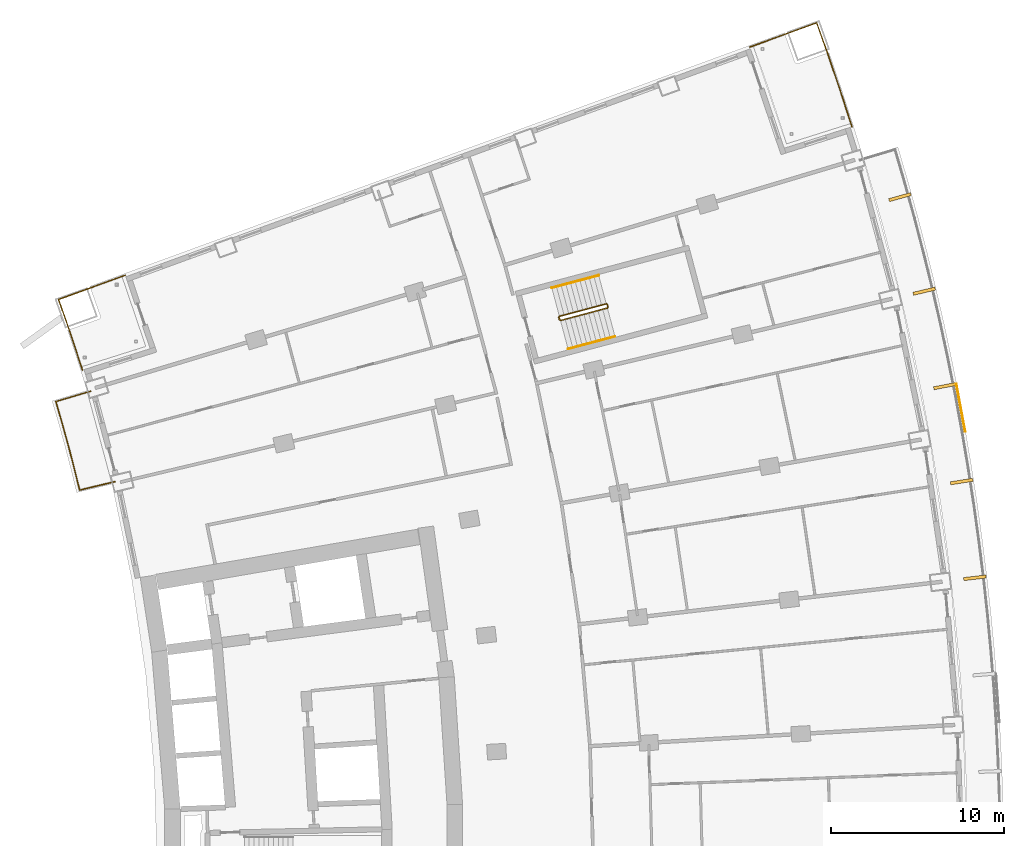
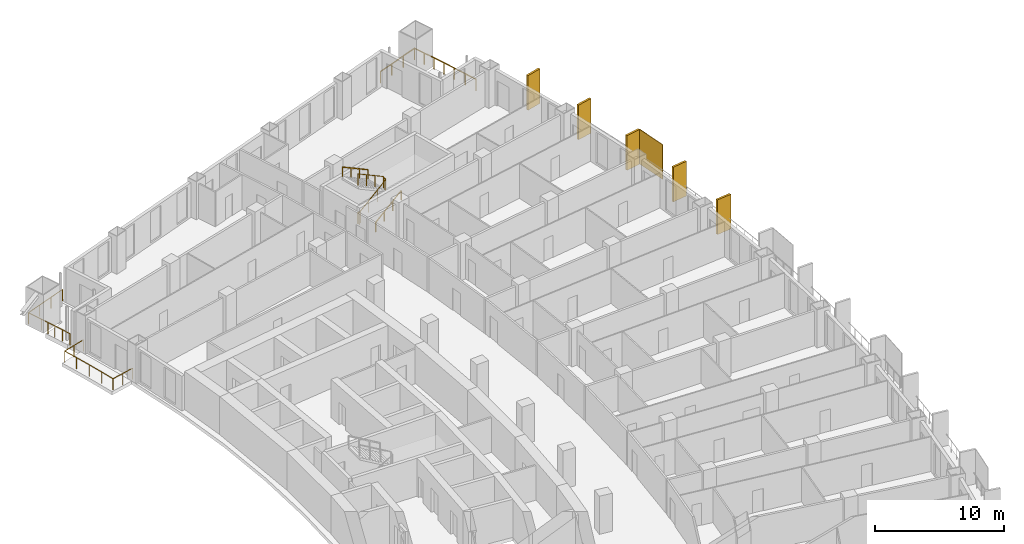
# One storey, part 25 of 25: 6 railings, 6 shading devices.
"""IFC4 building model written with IfcOpenShell, lengths in metres."""

import ifcopenshell
import ifcopenshell.guid

model = None  # the IFC model being written
_history = None  # IfcOwnerHistory: only IFC2X3 demands one
_inside = {}  # id of a spatial element -> (the spatial element, [elements in it])
_under = {}  # id of a project, library or spatial element -> (it, [spatial elements below it])
_declared = {}  # id of a project -> (the project, [libraries it declares])
_typed = {}  # id of a type object -> (the type object, [elements of that type])
_made_of = {}  # id of a material, layer set ... -> (it, [elements and type objects made of it])


def new_model(schema):
    """Start an empty IFC model of exactly this schema.

    Asked for "IFC4X3", IfcOpenShell would pick the latest addendum, in which some entities
    have other attributes; the version numbers below select the first issue.
    IFC2X3 requires an IfcOwnerHistory on every rooted entity: one is made here for all.
    """
    global model, _history
    if schema == "IFC4X3":
        model = ifcopenshell.file(schema_version=(4, 3, 0, 0))
    else:
        model = ifcopenshell.file(schema=schema)
    _inside.clear()
    _under.clear()
    _declared.clear()
    _typed.clear()
    _made_of.clear()
    _history = None
    if model.schema == "IFC2X3":
        org = make("IfcOrganization", Name="unknown")
        user = make(
            "IfcPersonAndOrganization",
            ThePerson=make("IfcPerson", FamilyName="unknown"),
            TheOrganization=org,
        )
        app = make(
            "IfcApplication",
            ApplicationDeveloper=org,
            Version="unknown",
            ApplicationFullName="unknown",
            ApplicationIdentifier="unknown",
        )
        _history = make(
            "IfcOwnerHistory",
            OwningUser=user,
            OwningApplication=app,
            ChangeAction="ADDED",
            CreationDate=0,
        )
    return model


def make(cls, **values):
    """One entity of the class cls with the attributes given. An attribute that is None is left unset."""
    return model.create_entity(
        cls, **{name: value for name, value in values.items() if value is not None}
    )


def rooted(cls, **values):
    """An entity with a GlobalId (a new one), such as an element, a storey or a relation."""
    return make(cls, GlobalId=ifcopenshell.guid.new(), OwnerHistory=_history, **values)


def si_unit(unit_type, name, prefix=None):
    """IfcSIUnit, for example si_unit("LENGTHUNIT", "METRE", prefix="MILLI")."""
    return make("IfcSIUnit", UnitType=unit_type, Prefix=prefix, Name=name)


def assignment(units):
    """IfcUnitAssignment: the units of a project."""
    return None if units is None else make("IfcUnitAssignment", Units=units)


def point(xyz):
    """IfcCartesianPoint."""
    return None if xyz is None else make("IfcCartesianPoint", Coordinates=xyz)


def direction(xyz):
    """IfcDirection."""
    return None if xyz is None else make("IfcDirection", DirectionRatios=xyz)


def frame(location, z_axis=None, x_axis=None):
    """IfcAxis2Placement3D, a coordinate frame: its origin and axes. An axis left out is left unset."""
    return make(
        "IfcAxis2Placement3D",
        Location=point(location),
        Axis=direction(z_axis),
        RefDirection=direction(x_axis),
    )


def frame_2d(location, x_axis=None):
    """IfcAxis2Placement2D, a coordinate frame in the plane: its origin and x axis."""
    return make(
        "IfcAxis2Placement2D", Location=point(location), RefDirection=direction(x_axis)
    )


def origin():
    """The frame at (0, 0, 0) with its axes left unset."""
    return frame((0.0, 0.0, 0.0))


def origin_2d():
    """The frame at (0, 0) in the plane with its x axis left unset."""
    return frame_2d((0.0, 0.0))


def place(relative_to, where):
    """IfcLocalPlacement: puts the frame where relative to a parent placement (None: the world)."""
    return make(
        "IfcLocalPlacement", PlacementRelTo=relative_to, RelativePlacement=where
    )


def context(
    kind, dimensions, precision=None, world=None, true_north=None, identifier=None
):
    """IfcGeometricRepresentationContext, for example the 3D "Model" context."""
    return make(
        "IfcGeometricRepresentationContext",
        ContextIdentifier=identifier,
        ContextType=kind,
        CoordinateSpaceDimension=dimensions,
        Precision=precision,
        WorldCoordinateSystem=world,
        TrueNorth=true_north,
    )


def subcontext(parent, identifier, kind, view, scale=None):
    """IfcGeometricRepresentationSubContext, for example "Body" below "Model"."""
    return make(
        "IfcGeometricRepresentationSubContext",
        ContextIdentifier=identifier,
        ContextType=kind,
        ParentContext=parent,
        TargetScale=scale,
        TargetView=view,
    )


def project(units=None, contexts=None):
    """IfcProject with its units and contexts."""
    return rooted(
        "IfcProject",
        Name="project",
        RepresentationContexts=contexts,
        UnitsInContext=assignment(units),
    )


def spatial(cls, under=None, at=None, **own):
    """A site, building, storey or space (cls), placed at a placement, below another one or the project."""
    s = rooted(cls, ObjectPlacement=at, **own)
    if under is not None:
        _under.setdefault(under.id(), (under, []))[1].append(s)
    return s


def profile(cls, at=None, kind="AREA", **sizes):
    """A parametric profile (cls). Its sizes go by their IFC names, for example OverallWidth=200.0."""
    return make(cls, ProfileType=kind, Position=at, **sizes)


def rectangle(**sizes):
    """IfcRectangleProfileDef."""
    return profile("IfcRectangleProfileDef", **sizes)


def extrude(swept, where, along, depth):
    """IfcExtrudedAreaSolid: the profile swept, set in the frame where, extruded along a direction by depth."""
    return make(
        "IfcExtrudedAreaSolid",
        SweptArea=swept,
        Position=where,
        ExtrudedDirection=direction(along),
        Depth=depth,
    )


def shape(context_of_items, identifier, shape_type, items):
    """IfcShapeRepresentation: the items that make up one representation, for example the "Body"."""
    return make(
        "IfcShapeRepresentation",
        ContextOfItems=context_of_items,
        RepresentationIdentifier=identifier,
        RepresentationType=shape_type,
        Items=items,
    )


def material(Name=None, Category=None):
    """IfcMaterial."""
    return make("IfcMaterial", Name=Name, Category=Category)


def layer(
    of_material, thickness, ventilated=None, Name=None, Category=None, Priority=None
):
    """IfcMaterialLayer: one layer of a wall or slab, of a material (None: an air gap)."""
    return make(
        "IfcMaterialLayer",
        Material=of_material,
        LayerThickness=thickness,
        IsVentilated=ventilated,
        Name=Name,
        Category=Category,
        Priority=Priority,
    )


def layer_set(layers, Name=None):
    """IfcMaterialLayerSet."""
    return make("IfcMaterialLayerSet", MaterialLayers=layers, LayerSetName=Name)


def made_of(thing, what):
    """Note that an element or type object is made of a material, layer set ...; save() writes the relation."""
    if what is not None:
        _made_of.setdefault(what.id(), (what, []))[1].append(thing)
    return thing


def type_object(cls, material=None, **own):
    """A type object (cls), such as IfcWallType, which elements share."""
    return made_of(rooted(cls, **own), material)


def element(
    cls,
    number,
    at=None,
    inside=None,
    cuts=None,
    type_object=None,
    material=None,
    context=None,
    identifier="Body",
    shape_type=None,
    held_by="IfcProductDefinitionShape",
    body=None,
    shapes=None,
    **own,
):
    """One element of the class cls, such as IfcWall. Its Tag is "e" and its number.

    at: its placement. inside: the storey or other place that contains it. cuts: it is an
    opening in that element (IfcRelVoidsElement). A single representation is given by context,
    identifier, shape_type and body (its items); several are given by shapes. held_by: the class
    of the entity that holds the representations. save() writes the other relations.
    """
    e = rooted(cls, Tag="e%d" % number, ObjectPlacement=at, **own)
    if body is not None:
        shapes = [shape(context, identifier, shape_type, body)]
    if shapes is not None:
        e.Representation = make(held_by, Representations=shapes)
    if inside is not None:
        _inside.setdefault(inside.id(), (inside, []))[1].append(e)
    if cuts is not None:
        rooted(
            "IfcRelVoidsElement", RelatingBuildingElement=cuts, RelatedOpeningElement=e
        )
    if type_object is not None:
        _typed.setdefault(type_object.id(), (type_object, []))[1].append(e)
    return made_of(e, material)


def aggregate(whole, parts):
    """IfcRelAggregates: a whole, such as a stair, and the parts it consists of."""
    return rooted("IfcRelAggregates", RelatingObject=whole, RelatedObjects=parts)


def save(model, path):
    """Write the relations noted so far, then the file.

    IfcRelAggregates (storeys below a building ...), IfcRelContainedInSpatialStructure (elements
    in a storey), IfcRelDefinesByType, IfcRelAssociatesMaterial and IfcRelDeclares: one each for
    every whole, place, type object, material and project.
    """
    for whole, parts in _under.values():
        aggregate(whole, parts)
    for where, things in _inside.values():
        rooted(
            "IfcRelContainedInSpatialStructure",
            RelatedElements=things,
            RelatingStructure=where,
        )
    for kind, things in _typed.values():
        rooted("IfcRelDefinesByType", RelatedObjects=things, RelatingType=kind)
    for what, things in _made_of.values():
        rooted("IfcRelAssociatesMaterial", RelatedObjects=things, RelatingMaterial=what)
    for by, libraries in _declared.values():
        rooted("IfcRelDeclares", RelatingContext=by, RelatedDefinitions=libraries)
    model.write(path)


model = new_model("IFC4")

# Units and contexts
model_context = context("Model", 3, precision=1e-05, world=origin(), true_north=direction((0.0, 1.0)))
body_context = subcontext(model_context, "Body", "Model", "MODEL_VIEW")
ifc_project = project(units=[si_unit("LENGTHUNIT", "METRE"), si_unit("AREAUNIT", "SQUARE_METRE"), si_unit("VOLUMEUNIT", "CUBIC_METRE"), si_unit("PLANEANGLEUNIT", "RADIAN"), si_unit("MASSUNIT", "GRAM", prefix="KILO")], contexts=[model_context])

# Site, building, storey
site_placement = place(None, origin())
site = spatial("IfcSite", under=ifc_project, at=site_placement, CompositionType="ELEMENT")
building_placement = place(site_placement, origin())
building = spatial("IfcBuilding", under=site, at=building_placement, Name="Alderwake Tower", CompositionType="ELEMENT")
storey_placement = place(building_placement, frame((0.0, 0.0, 68.0)))
storey = spatial("IfcBuildingStorey", under=building, at=storey_placement, Name="L16", CompositionType="ELEMENT", Elevation=68.0)

# Railings
ifc_material_1 = material(Name="Stainless steel 316 rail and posts", Category="steel")
railing_type_1 = type_object("IfcRailingType", Name="Balcony guard 1100", PredefinedType="GUARDRAIL", material=ifc_material_1)
railing_1_placement = place(storey_placement, frame((13.5693359375, 83.343017578125, 0.0)))
element("IfcRailing", 1, at=railing_1_placement, inside=storey, type_object=railing_type_1, Name="Guard BR11", PredefinedType="GUARDRAIL", context=body_context, shape_type="SweptSolid", body=[
    extrude(rectangle(XDim=0.048095703125, YDim=0.048095703125, at=origin_2d()), frame((0.0, 0.0, 1.076171875), z_axis=(-0.972646310656, -0.232291098337, 0.0), x_axis=(0.232291098337, -0.972646310656, 0.0)), (0.0, 0.0, 1.0), 2.099853515625),
    extrude(rectangle(XDim=0.048095703125, YDim=0.048095703125, at=origin_2d()), frame((-2.04248046875, -0.48779296875, 1.076171875), z_axis=(-0.238877101641, 0.971049808358, 0.0), x_axis=(-0.971049808358, -0.238877101641, 0.0)), (0.0, 0.0, 1.0), 1.2724609375),
    extrude(rectangle(XDim=0.048095703125, YDim=0.048095703125, at=origin_2d()), frame((-2.346435546875, 0.747802734375, 1.076171875), z_axis=(-0.252487086228, 0.967600264204, 0.0), x_axis=(-0.967600264204, -0.252487086228, 0.0)), (0.0, 0.0, 1.0), 1.3720703125),
    extrude(rectangle(XDim=0.048095703125, YDim=0.048095703125, at=origin_2d()), frame((-2.69287109375, 2.075439453125, 1.076171875), z_axis=(-0.266487604617, 0.963838345671, 0.0), x_axis=(-0.963838345671, -0.266487604617, 0.0)), (0.0, 0.0, 1.0), 1.372314453125),
    extrude(rectangle(XDim=0.048095703125, YDim=0.048095703125, at=origin_2d()), frame((-3.05859375, 3.398193359375, 1.076171875), z_axis=(-0.279963157487, 0.960010744966, 0.0), x_axis=(-0.960010744966, -0.279963157487, 0.0)), (0.0, 0.0, 1.0), 1.272216796875),
    extrude(rectangle(XDim=0.048095703125, YDim=0.048095703125, at=origin_2d()), frame((-3.414794921875, 4.61962890625, 1.076171875), z_axis=(0.958091458885, 0.286462486918, 0.0), x_axis=(-0.286462486918, 0.958091458885, 0.0)), (0.0, 0.0, 1.0), 2.099853515625),
    extrude(rectangle(XDim=0.0419921875, YDim=0.0419921875, at=origin_2d()), frame((0.0, 0.0, 0.0), z_axis=(0.0, 0.0, 1.0), x_axis=(-0.972646310656, -0.232291098337, 0.0)), (0.0, 0.0, 1.0), 1.052001953125),
    extrude(rectangle(XDim=0.0419921875, YDim=0.0419921875, at=origin_2d()), frame((-1.021240234375, -0.243896484375, 0.0), z_axis=(0.0, 0.0, 1.0), x_axis=(-0.972646310656, -0.232291098337, 0.0)), (0.0, 0.0, 1.0), 1.052001953125),
    extrude(rectangle(XDim=0.0419921875, YDim=0.0419921875, at=origin_2d()), frame((-2.04248046875, -0.48779296875, 0.0), z_axis=(0.0, 0.0, 1.0), x_axis=(-0.238877101641, 0.971049808358, 0.0)), (0.0, 0.0, 1.0), 1.052001953125),
    extrude(rectangle(XDim=0.0419921875, YDim=0.0419921875, at=origin_2d()), frame((-2.346435546875, 0.747802734375, 0.0), z_axis=(0.0, 0.0, 1.0), x_axis=(-0.252487086228, 0.967600264204, 0.0)), (0.0, 0.0, 1.0), 1.052001953125),
    extrude(rectangle(XDim=0.0419921875, YDim=0.0419921875, at=origin_2d()), frame((-2.69287109375, 2.075439453125, 0.0), z_axis=(0.0, 0.0, 1.0), x_axis=(-0.266487604617, 0.963838345671, 0.0)), (0.0, 0.0, 1.0), 1.052001953125),
    extrude(rectangle(XDim=0.0419921875, YDim=0.0419921875, at=origin_2d()), frame((-3.05859375, 3.398193359375, 0.0), z_axis=(0.0, 0.0, 1.0), x_axis=(-0.279963157487, 0.960010744966, 0.0)), (0.0, 0.0, 1.0), 1.052001953125),
    extrude(rectangle(XDim=0.0419921875, YDim=0.0419921875, at=origin_2d()), frame((-3.414794921875, 4.61962890625, 0.0), z_axis=(0.0, 0.0, 1.0), x_axis=(0.958091458885, 0.286462486918, 0.0)), (0.0, 0.0, 1.0), 1.052001953125),
    extrude(rectangle(XDim=0.0419921875, YDim=0.0419921875, at=origin_2d()), frame((-2.40869140625, 4.92041015625, 0.0), z_axis=(0.0, 0.0, 1.0), x_axis=(0.958091458885, 0.286462486918, 0.0)), (0.0, 0.0, 1.0), 1.052001953125),
    extrude(rectangle(XDim=0.0419921875, YDim=0.0419921875, at=origin_2d()), frame((-1.40283203125, 5.22119140625, 0.0), z_axis=(0.0, 0.0, 1.0), x_axis=(0.958091458885, 0.286462486918, 0.0)), (0.0, 0.0, 1.0), 1.052001953125),
])
railing_2_placement = place(storey_placement, frame((56.12060546875, 103.831298828125, 0.0)))
element("IfcRailing", 2, at=railing_2_placement, inside=storey, type_object=railing_type_1, Name="Guard terrace FN", PredefinedType="GUARDRAIL", context=body_context, shape_type="SweptSolid", body=[
    extrude(rectangle(XDim=0.048095703125, YDim=0.048095703125, at=origin_2d()), frame((0.0, 0.0, 1.076171875), z_axis=(-0.307834534449, 0.951439908455, 0.0), x_axis=(-0.951439908455, -0.307834534449, 0.0)), (0.0, 0.0, 1.0), 2.281005859375),
    extrude(rectangle(XDim=0.048095703125, YDim=0.048095703125, at=origin_2d()), frame((-0.7021484375, 2.170166015625, 1.076171875), z_axis=(-0.322274982341, 0.946646098475, 0.0), x_axis=(-0.946646098475, -0.322274982341, 0.0)), (0.0, 0.0, 1.0), 2.0810546875),
    extrude(rectangle(XDim=0.048095703125, YDim=0.048095703125, at=origin_2d()), frame((-1.372802734375, 4.14013671875, 1.076171875), z_axis=(-0.335680571726, 0.941975877486, 0.0), x_axis=(-0.941975877486, -0.335680571726, 0.0)), (0.0, 0.0, 1.0), 1.981201171875),
    extrude(rectangle(XDim=0.048095703125, YDim=0.048095703125, at=origin_2d()), frame((-2.037841796875, 6.00634765625, 1.076171875), z_axis=(-0.939605522223, -0.34225934992, 0.0), x_axis=(0.34225934992, -0.939605522223, 0.0)), (0.0, 0.0, 1.0), 4.10009765625),
    extrude(rectangle(XDim=0.0419921875, YDim=0.0419921875, at=origin_2d()), frame((0.0, 0.0, 0.0), z_axis=(0.0, 0.0, 1.0), x_axis=(-0.307834534449, 0.951439908455, 0.0)), (0.0, 0.0, 1.0), 1.052001953125),
    extrude(rectangle(XDim=0.0419921875, YDim=0.0419921875, at=origin_2d()), frame((-0.35107421875, 1.0849609375, 0.0), z_axis=(0.0, 0.0, 1.0), x_axis=(-0.307834534449, 0.951439908455, 0.0)), (0.0, 0.0, 1.0), 1.052001953125),
    extrude(rectangle(XDim=0.0419921875, YDim=0.0419921875, at=origin_2d()), frame((-0.7021484375, 2.170166015625, 0.0), z_axis=(0.0, 0.0, 1.0), x_axis=(-0.322274982341, 0.946646098475, 0.0)), (0.0, 0.0, 1.0), 1.052001953125),
    extrude(rectangle(XDim=0.0419921875, YDim=0.0419921875, at=origin_2d()), frame((-1.03759765625, 3.1552734375, 0.0), z_axis=(0.0, 0.0, 1.0), x_axis=(-0.322274982341, 0.946646098475, 0.0)), (0.0, 0.0, 1.0), 1.052001953125),
    extrude(rectangle(XDim=0.0419921875, YDim=0.0419921875, at=origin_2d()), frame((-1.372802734375, 4.14013671875, 0.0), z_axis=(0.0, 0.0, 1.0), x_axis=(-0.335680571726, 0.941975877486, 0.0)), (0.0, 0.0, 1.0), 1.052001953125),
    extrude(rectangle(XDim=0.0419921875, YDim=0.0419921875, at=origin_2d()), frame((-1.705322265625, 5.0732421875, 0.0), z_axis=(0.0, 0.0, 1.0), x_axis=(-0.335680571726, 0.941975877486, 0.0)), (0.0, 0.0, 1.0), 1.052001953125),
    extrude(rectangle(XDim=0.0419921875, YDim=0.0419921875, at=origin_2d()), frame((-2.037841796875, 6.00634765625, 0.0), z_axis=(0.0, 0.0, 1.0), x_axis=(-0.939605522223, -0.34225934992, 0.0)), (0.0, 0.0, 1.0), 1.052001953125),
    extrude(rectangle(XDim=0.0419921875, YDim=0.0419921875, at=origin_2d()), frame((-3.322021484375, 5.53857421875, 0.0), z_axis=(0.0, 0.0, 1.0), x_axis=(-0.939605522223, -0.34225934992, 0.0)), (0.0, 0.0, 1.0), 1.052001953125),
    extrude(rectangle(XDim=0.0419921875, YDim=0.0419921875, at=origin_2d()), frame((-4.606201171875, 5.07080078125, 0.0), z_axis=(0.0, 0.0, 1.0), x_axis=(-0.939605522223, -0.34225934992, 0.0)), (0.0, 0.0, 1.0), 1.052001953125),
    extrude(rectangle(XDim=0.0419921875, YDim=0.0419921875, at=origin_2d()), frame((-5.890380859375, 4.60302734375, 0.0), z_axis=(0.0, 0.0, 1.0), x_axis=(-0.939605522223, -0.34225934992, 0.0)), (0.0, 0.0, 1.0), 1.052001953125),
])
railing_3_placement = place(storey_placement, frame((11.688720703125, 89.781982421875, 0.0)))
element("IfcRailing", 3, at=railing_3_placement, inside=storey, type_object=railing_type_1, Name="Guard terrace RN", PredefinedType="GUARDRAIL", context=body_context, shape_type="SweptSolid", body=[
    extrude(rectangle(XDim=0.048095703125, YDim=0.048095703125, at=origin_2d()), frame((0.0, 0.0, 1.076171875), z_axis=(-0.307479326145, 0.951554761426, 0.0), x_axis=(-0.951554761426, -0.307479326145, 0.0)), (0.0, 0.0, 1.0), 1.6015625),
    extrude(rectangle(XDim=0.048095703125, YDim=0.048095703125, at=origin_2d()), frame((-0.492431640625, 1.52392578125, 1.076171875), z_axis=(-0.322283727344, 0.946643121292, 0.0), x_axis=(-0.946643121292, -0.322283727344, 0.0)), (0.0, 0.0, 1.0), 1.4013671875),
    extrude(rectangle(XDim=0.048095703125, YDim=0.048095703125, at=origin_2d()), frame((-0.944091796875, 2.8505859375, 1.076171875), z_axis=(-0.335468607403, 0.942051385778, 0.0), x_axis=(-0.942051385778, -0.335468607403, 0.0)), (0.0, 0.0, 1.0), 1.30126953125),
    extrude(rectangle(XDim=0.048095703125, YDim=0.048095703125, at=origin_2d()), frame((-1.380615234375, 4.076416015625, 1.076171875), z_axis=(0.939708203232, 0.341977327873, 0.0), x_axis=(-0.341977327873, 0.939708203232, 0.0)), (0.0, 0.0, 1.0), 4.10009765625),
    extrude(rectangle(XDim=0.0419921875, YDim=0.0419921875, at=origin_2d()), frame((0.0, 0.0, 0.0), z_axis=(0.0, 0.0, 1.0), x_axis=(-0.307479326145, 0.951554761426, 0.0)), (0.0, 0.0, 1.0), 1.052001953125),
    extrude(rectangle(XDim=0.0419921875, YDim=0.0419921875, at=origin_2d()), frame((-0.24609375, 0.761962890625, 0.0), z_axis=(0.0, 0.0, 1.0), x_axis=(-0.307479326145, 0.951554761426, 0.0)), (0.0, 0.0, 1.0), 1.052001953125),
    extrude(rectangle(XDim=0.0419921875, YDim=0.0419921875, at=origin_2d()), frame((-0.492431640625, 1.52392578125, 0.0), z_axis=(0.0, 0.0, 1.0), x_axis=(-0.322283727344, 0.946643121292, 0.0)), (0.0, 0.0, 1.0), 1.052001953125),
    extrude(rectangle(XDim=0.0419921875, YDim=0.0419921875, at=origin_2d()), frame((-0.71826171875, 2.187255859375, 0.0), z_axis=(0.0, 0.0, 1.0), x_axis=(-0.322283727344, 0.946643121292, 0.0)), (0.0, 0.0, 1.0), 1.052001953125),
    extrude(rectangle(XDim=0.0419921875, YDim=0.0419921875, at=origin_2d()), frame((-0.944091796875, 2.8505859375, 0.0), z_axis=(0.0, 0.0, 1.0), x_axis=(-0.335468607403, 0.942051385778, 0.0)), (0.0, 0.0, 1.0), 1.052001953125),
    extrude(rectangle(XDim=0.0419921875, YDim=0.0419921875, at=origin_2d()), frame((-1.380615234375, 4.076416015625, 0.0), z_axis=(0.0, 0.0, 1.0), x_axis=(0.939708203232, 0.341977327873, 0.0)), (0.0, 0.0, 1.0), 1.052001953125),
    extrude(rectangle(XDim=0.0419921875, YDim=0.0419921875, at=origin_2d()), frame((-0.096435546875, 4.543701171875, 0.0), z_axis=(0.0, 0.0, 1.0), x_axis=(0.939708203232, 0.341977327873, 0.0)), (0.0, 0.0, 1.0), 1.052001953125),
    extrude(rectangle(XDim=0.0419921875, YDim=0.0419921875, at=origin_2d()), frame((1.18798828125, 5.01123046875, 0.0), z_axis=(0.0, 0.0, 1.0), x_axis=(0.939708203232, 0.341977327873, 0.0)), (0.0, 0.0, 1.0), 1.052001953125),
    extrude(rectangle(XDim=0.0419921875, YDim=0.0419921875, at=origin_2d()), frame((2.47216796875, 5.478515625, 0.0), z_axis=(0.0, 0.0, 1.0), x_axis=(0.939708203232, 0.341977327873, 0.0)), (0.0, 0.0, 1.0), 1.052001953125),
])

# Shading devices
ifc_material_2 = material(Name="Bronze anodised aluminium", Category="aluminium")
ifc_layer_1 = layer(ifc_material_2, 0.179931640625)
ifc_layer_set_1 = layer_set([ifc_layer_1], Name="Facade fin 1300")
shading_device_type_1 = type_object("IfcShadingDeviceType", Name="Facade fin 1300", PredefinedType="USERDEFINED", material=ifc_layer_set_1)
for number, where, z_axis, x_axis, name in (
    (4, (63.21923828125, 77.7900390625, 0.0), (0.0, 0.0, 1.0), (0.993198315083, 0.116434990084, 0.0), "Fin"),
    (5, (62.4580078125, 83.34716796875, 0.0), (0.0, 0.0, 1.0), (0.987918787879, 0.154972476771, 0.0), "Fin"),
    (6, (61.48388671875, 88.856201171875, 0.0), (0.0, 0.0, 1.0), (0.981163751315, 0.193177879441, 0.0), "Fin"),
    (7, (60.29345703125, 94.33740234375, 0.0), (0.0, 0.0, 1.0), (0.972908790564, 0.231189284448, 0.0), "Fin"),
    (8, (58.890869140625, 99.768310546875, 0.0), (0.0, 0.0, 1.0), (0.96318180783, 0.268850897459, 0.0), "Fin"),
):
    element("IfcShadingDevice", number, at=place(storey_placement, frame(where, z_axis=z_axis, x_axis=x_axis)), inside=storey, type_object=shading_device_type_1, Name=name, ObjectType="FIN", PredefinedType="USERDEFINED", context=body_context, shape_type="SweptSolid", body=[
        extrude(rectangle(XDim=1.300048828125, YDim=0.179931640625, at=origin_2d()), origin(), (0.0, 0.0, 1.0), 3.280029296875),
    ])
ifc_material_3 = material(Name="Perforated bronze anodised aluminium", Category="aluminium")
ifc_layer_2 = layer(ifc_material_3, 0.050048828125)
ifc_layer_set_2 = layer_set([ifc_layer_2], Name="Perforated screen panel")
shading_device_type_2 = type_object("IfcShadingDeviceType", Name="Perforated screen panel", PredefinedType="USERDEFINED", material=ifc_layer_set_2)
shading_device_placement = place(storey_placement, frame((62.404296875, 87.605224609375, 0.0), z_axis=(0.0, 0.0, 1.0), x_axis=(0.982991488043, 0.183651121519, 0.0)))
element("IfcShadingDevice", 9, at=shading_device_placement, inside=storey, type_object=shading_device_type_2, Name="Screen panel", ObjectType="SCREEN", PredefinedType="USERDEFINED", context=body_context, shape_type="SweptSolid", body=[
    extrude(rectangle(XDim=0.050048828125, YDim=2.810546875, at=origin_2d()), origin(), (0.0, 0.0, 1.0), 3.280029296875),
])

# Railings
ifc_material_4 = material(Name="Stainless steel guard", Category="steel")
railing_type_2 = type_object("IfcRailingType", Name="Stair guard 1100", PredefinedType="GUARDRAIL", material=ifc_material_4)
railing_4_placement = place(storey_placement, frame((39.23291015625, 92.6806640625, 0.0)))
element("IfcRailing", 10, at=railing_4_placement, inside=storey, type_object=railing_type_2, Name="L16 ST-A stair guard 1", PredefinedType="GUARDRAIL", context=body_context, shape_type="SweptSolid", body=[
    extrude(rectangle(XDim=0.048095703125, YDim=0.048095703125, at=origin_2d()), frame((0.0, 0.0, 1.076171875), z_axis=(-0.257055032184, 0.966396766566, 0.0), x_axis=(-0.966396766566, -0.257055032184, 0.0)), (0.0, 0.0, 1.0), 0.150146484375),
    extrude(rectangle(XDim=0.048095703125, YDim=0.048095703125, at=origin_2d()), frame((-0.03857421875, 0.14501953125, 1.076171875), z_axis=(0.379370725808, -0.685464465458, 0.621463047167), x_axis=(0.874937996095, 0.484234966715, 0.0)), (0.0, 0.0, 1.0), 0.26318359375),
    extrude(rectangle(XDim=0.048095703125, YDim=0.048095703125, at=origin_2d()), frame((0.061279296875, -0.035400390625, 1.23974609375), z_axis=(0.834258940753, 0.22222815314, 0.504605457487), x_axis=(-0.257402139082, 0.966304371715, 0.0)), (0.0, 0.0, 1.0), 3.2431640625),
    extrude(rectangle(XDim=0.048095703125, YDim=0.048095703125, at=origin_2d()), frame((2.766845703125, 0.685302734375, 2.8759765625), z_axis=(0.500220121494, 0.865898279276, 0.0), x_axis=(-0.865898279276, 0.500220121494, 0.0)), (0.0, 0.0, 1.0), 0.07080078125),
    extrude(rectangle(XDim=0.048095703125, YDim=0.048095703125, at=origin_2d()), frame((2.80224609375, 0.74658203125, 2.8759765625), z_axis=(-0.257459803502, 0.966289009345, 0.0), x_axis=(-0.966289009345, -0.257459803502, 0.0)), (0.0, 0.0, 1.0), 0.14990234375),
    extrude(rectangle(XDim=0.048095703125, YDim=0.048095703125, at=origin_2d()), frame((2.763671875, 0.891357421875, 2.8759765625), z_axis=(-0.34252489212, 0.200034536998, 0.917966710881), x_axis=(-0.504300490226, -0.863528236688, 0.0)), (0.0, 0.0, 1.0), 0.17822265625),
    extrude(rectangle(XDim=0.048095703125, YDim=0.048095703125, at=origin_2d()), frame((2.70263671875, 0.927001953125, 3.03955078125), z_axis=(-0.834281824786, -0.222214197128, 0.504573768072), x_axis=(0.257380452725, -0.966310148221, 0.0)), (0.0, 0.0, 1.0), 3.2431640625),
    extrude(rectangle(XDim=0.0419921875, YDim=0.0419921875, at=origin_2d()), frame((0.0, 0.0, 0.0), z_axis=(0.0, 0.0, 1.0), x_axis=(-0.257055032184, 0.966396766566, 0.0)), (0.0, 0.0, 1.0), 1.052001953125),
    extrude(rectangle(XDim=0.0419921875, YDim=0.0419921875, at=origin_2d()), frame((-0.03857421875, 0.14501953125, 0.0), z_axis=(0.0, 0.0, 1.0), x_axis=(0.484234966715, -0.874937996095, 0.0)), (0.0, 0.0, 1.0), 1.052001953125),
    extrude(rectangle(XDim=0.0419921875, YDim=0.0419921875, at=origin_2d()), frame((0.061279296875, -0.035400390625, 0.16357421875), z_axis=(0.0, 0.0, 1.0), x_axis=(0.966304371715, 0.257402139082, 0.0)), (0.0, 0.0, 1.0), 1.052001953125),
    extrude(rectangle(XDim=0.0419921875, YDim=0.0419921875, at=origin_2d()), frame((0.963134765625, 0.204833984375, 0.708984375), z_axis=(0.0, 0.0, 1.0), x_axis=(0.966304371715, 0.257402139082, 0.0)), (0.0, 0.0, 1.0), 1.052001953125),
    extrude(rectangle(XDim=0.0419921875, YDim=0.0419921875, at=origin_2d()), frame((1.864990234375, 0.445068359375, 1.254638671875), z_axis=(0.0, 0.0, 1.0), x_axis=(0.966304371715, 0.257402139082, 0.0)), (0.0, 0.0, 1.0), 1.052001953125),
    extrude(rectangle(XDim=0.0419921875, YDim=0.0419921875, at=origin_2d()), frame((2.766845703125, 0.685302734375, 1.800048828125), z_axis=(0.0, 0.0, 1.0), x_axis=(0.500220121494, 0.865898279276, 0.0)), (0.0, 0.0, 1.0), 1.052001953125),
    extrude(rectangle(XDim=0.0419921875, YDim=0.0419921875, at=origin_2d()), frame((2.80224609375, 0.74658203125, 1.800048828125), z_axis=(0.0, 0.0, 1.0), x_axis=(-0.257459803502, 0.966289009345, 0.0)), (0.0, 0.0, 1.0), 1.052001953125),
    extrude(rectangle(XDim=0.0419921875, YDim=0.0419921875, at=origin_2d()), frame((2.763671875, 0.891357421875, 1.800048828125), z_axis=(0.0, 0.0, 1.0), x_axis=(-0.863528236688, 0.504300490226, 0.0)), (0.0, 0.0, 1.0), 1.052001953125),
    extrude(rectangle(XDim=0.0419921875, YDim=0.0419921875, at=origin_2d()), frame((2.70263671875, 0.927001953125, 1.963623046875), z_axis=(0.0, 0.0, 1.0), x_axis=(-0.966310148221, -0.257380452725, 0.0)), (0.0, 0.0, 1.0), 1.052001953125),
    extrude(rectangle(XDim=0.0419921875, YDim=0.0419921875, at=origin_2d()), frame((1.80078125, 0.686767578125, 2.509033203125), z_axis=(0.0, 0.0, 1.0), x_axis=(-0.966310148221, -0.257380452725, 0.0)), (0.0, 0.0, 1.0), 1.052001953125),
    extrude(rectangle(XDim=0.0419921875, YDim=0.0419921875, at=origin_2d()), frame((0.898681640625, 0.446533203125, 3.0546875), z_axis=(0.0, 0.0, 1.0), x_axis=(-0.966310148221, -0.257380452725, 0.0)), (0.0, 0.0, 1.0), 1.052001953125),
    extrude(rectangle(XDim=0.0419921875, YDim=0.0419921875, at=origin_2d()), frame((-0.003173828125, 0.206298828125, 3.60009765625), z_axis=(0.0, 0.0, 1.0), x_axis=(-0.966310148221, -0.257380452725, 0.0)), (0.0, 0.0, 1.0), 1.052001953125),
])
ifc_material_5 = material(Name="Stainless steel handrail", Category="steel")
railing_type_3 = type_object("IfcRailingType", Name="Stair handrail 900", PredefinedType="HANDRAIL", material=ifc_material_5)
railing_5_placement = place(storey_placement, frame((39.731689453125, 91.002685546875, 0.16357421875)))
element("IfcRailing", 11, at=railing_5_placement, inside=storey, type_object=railing_type_3, Name="L16 ST-A stair handrail 1", PredefinedType="HANDRAIL", context=body_context, shape_type="SweptSolid", body=[
    extrude(rectangle(XDim=0.048095703125, YDim=0.048095703125, at=origin_2d()), frame((0.0, 0.0, 0.8759765625), z_axis=(0.834258940753, 0.22222815314, 0.504605457487), x_axis=(-0.257402139082, 0.966304371715, 0.0)), (0.0, 0.0, 1.0), 3.2431640625),
    extrude(rectangle(XDim=0.0419921875, YDim=0.0419921875, at=origin_2d()), frame((0.0, 0.0, 0.0), z_axis=(0.0, 0.0, 1.0), x_axis=(0.966304371715, 0.257402139082, 0.0)), (0.0, 0.0, 1.0), 0.851806640625),
    extrude(rectangle(XDim=0.0419921875, YDim=0.0419921875, at=origin_2d()), frame((0.90185546875, 0.240234375, 0.54541015625), z_axis=(0.0, 0.0, 1.0), x_axis=(0.966304371715, 0.257402139082, 0.0)), (0.0, 0.0, 1.0), 0.851806640625),
    extrude(rectangle(XDim=0.0419921875, YDim=0.0419921875, at=origin_2d()), frame((1.8037109375, 0.48046875, 1.091064453125), z_axis=(0.0, 0.0, 1.0), x_axis=(0.966304371715, 0.257402139082, 0.0)), (0.0, 0.0, 1.0), 0.851806640625),
    extrude(rectangle(XDim=0.0419921875, YDim=0.0419921875, at=origin_2d()), frame((2.70556640625, 0.720703125, 1.636474609375), z_axis=(0.0, 0.0, 1.0), x_axis=(0.966304371715, 0.257402139082, 0.0)), (0.0, 0.0, 1.0), 0.851806640625),
])
railing_6_placement = place(storey_placement, frame((41.497802734375, 95.250244140625, 1.963623046875)))
element("IfcRailing", 12, at=railing_6_placement, inside=storey, type_object=railing_type_3, Name="L16 ST-A stair handrail 2", PredefinedType="HANDRAIL", context=body_context, shape_type="SweptSolid", body=[
    extrude(rectangle(XDim=0.048095703125, YDim=0.048095703125, at=origin_2d()), frame((0.0, 0.0, 0.8759765625), z_axis=(-0.834258940753, -0.22222815314, 0.504605457487), x_axis=(0.257402139082, -0.966304371715, 0.0)), (0.0, 0.0, 1.0), 3.2431640625),
    extrude(rectangle(XDim=0.0419921875, YDim=0.0419921875, at=origin_2d()), frame((0.0, 0.0, 0.0), z_axis=(0.0, 0.0, 1.0), x_axis=(-0.966304371715, -0.257402139082, 0.0)), (0.0, 0.0, 1.0), 0.851806640625),
    extrude(rectangle(XDim=0.0419921875, YDim=0.0419921875, at=origin_2d()), frame((-0.90185546875, -0.240234375, 0.54541015625), z_axis=(0.0, 0.0, 1.0), x_axis=(-0.966304371715, -0.257402139082, 0.0)), (0.0, 0.0, 1.0), 0.851806640625),
    extrude(rectangle(XDim=0.0419921875, YDim=0.0419921875, at=origin_2d()), frame((-1.8037109375, -0.48046875, 1.091064453125), z_axis=(0.0, 0.0, 1.0), x_axis=(-0.966304371715, -0.257402139082, 0.0)), (0.0, 0.0, 1.0), 0.851806640625),
    extrude(rectangle(XDim=0.0419921875, YDim=0.0419921875, at=origin_2d()), frame((-2.70556640625, -0.720703125, 1.636474609375), z_axis=(0.0, 0.0, 1.0), x_axis=(-0.966304371715, -0.257402139082, 0.0)), (0.0, 0.0, 1.0), 0.851806640625),
])

save(model, "model.ifc")
